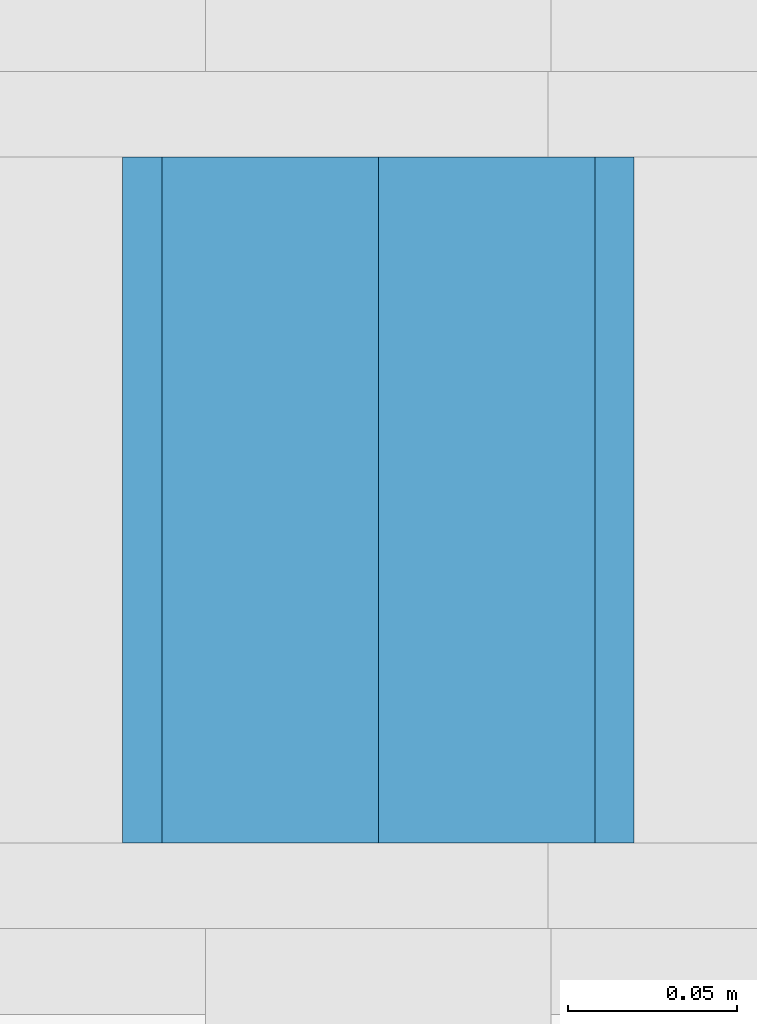
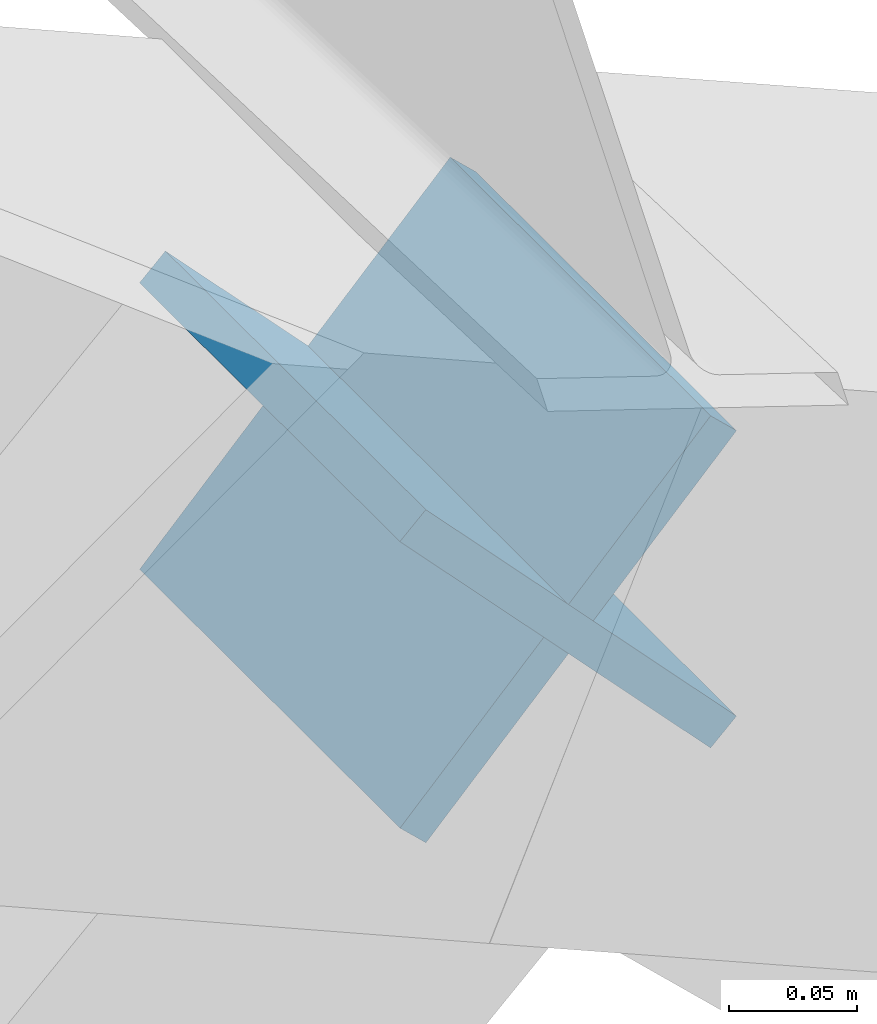
# One storey, part 49 of 76: 2 discrete accessories.
"""IFC4 building model written with IfcOpenShell, lengths in metres."""

from ifc_helpers import new_model, si_unit, direction, frame, origin, origin_2d, place, context, subcontext, project, spatial, rectangle, extrude, material, element, save


model = new_model("IFC4")

# Units and contexts
model_context = context("Model", 3, precision=1e-05, world=origin(), true_north=direction((0.0, 1.0)))
body_context = subcontext(model_context, "Body", "Model", "MODEL_VIEW")
ifc_project = project(units=[si_unit("LENGTHUNIT", "METRE"), si_unit("AREAUNIT", "SQUARE_METRE"), si_unit("VOLUMEUNIT", "CUBIC_METRE"), si_unit("PLANEANGLEUNIT", "RADIAN"), si_unit("MASSUNIT", "GRAM", prefix="KILO")], contexts=[model_context])

# Site, building, storey
site_placement = place(None, origin())
site = spatial("IfcSite", under=ifc_project, at=site_placement, CompositionType="ELEMENT")
building_placement = place(site_placement, origin())
building = spatial("IfcBuilding", under=site, at=building_placement, Name="Hlaing Beacon Police Headquarters", CompositionType="ELEMENT")
storey_placement = place(building_placement, frame((0.0, 0.0, 18.89990234375)))
storey = spatial("IfcBuildingStorey", under=building, at=storey_placement, Name="L04", CompositionType="ELEMENT", Elevation=18.89990234375)

# Discrete accessories
ifc_material = material(Name="Steel ASTM A572 Grade 50", Category="steel")
for number, where, z_axis, x_axis, name in (
    (1, (71.39404296875, 67.199951171875, -0.363037109375), (0.725017321361, 0.0, 0.688730632197), (0.0, 1.0, 0.0), "Gusset plate GP-368"),
    (2, (71.40576171875, 67.199951171875, -0.36328125), (-0.725037311835, 0.0, 0.688709587887), (0.0, -1.0, 0.0), "Gusset plate GP-369"),
):
    element("IfcDiscreteAccessory", number, at=place(storey_placement, frame(where, z_axis=z_axis, x_axis=x_axis)), inside=storey, material=ifc_material, Name=name, PredefinedType="BRACKET", context=body_context, shape_type="SweptSolid", body=[
        extrude(rectangle(XDim=0.203125, YDim=0.203125, at=origin_2d()), origin(), (0.0, 0.0, 1.0), 0.01611328125),
    ])

save(model, "model.ifc")
